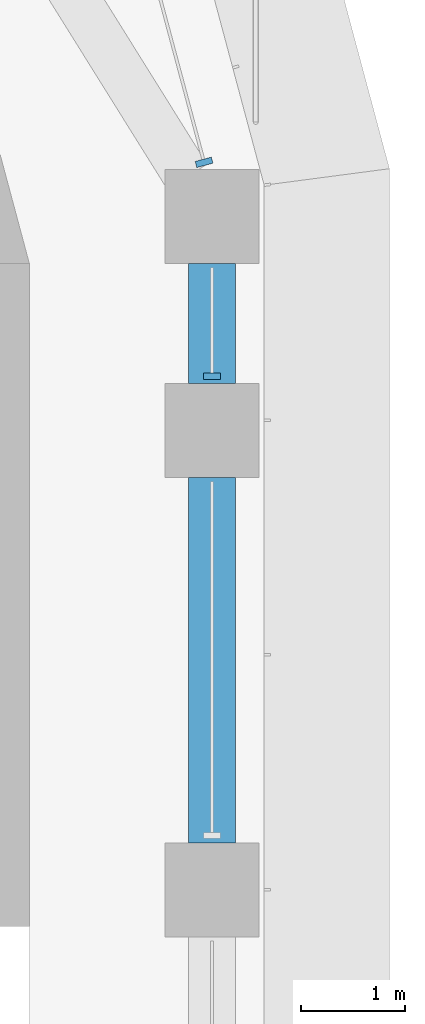
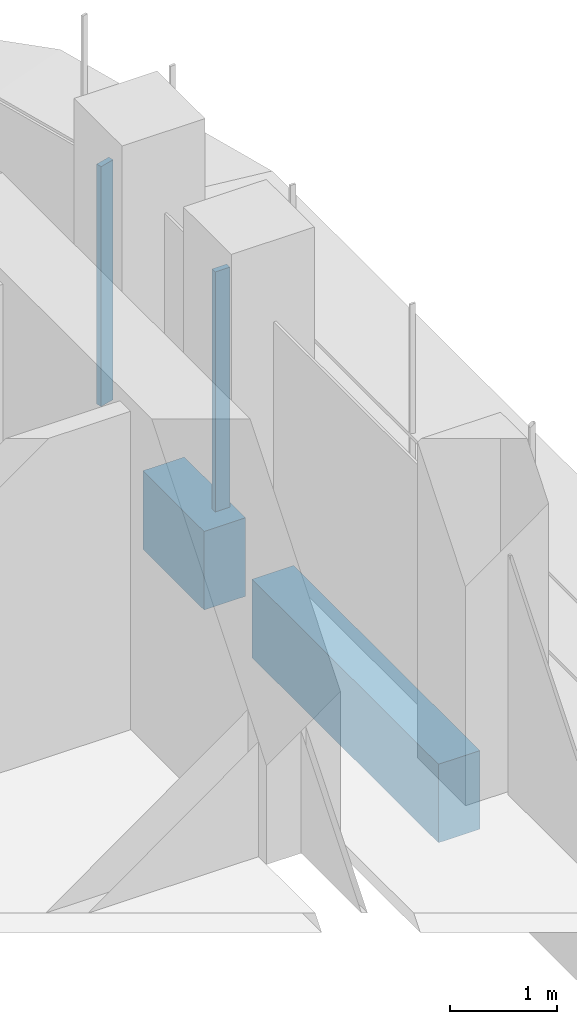
# One storey, part 9 of 22: 2 beams, 2 members, 2 elements without a shape of their own.
"""IFC4 building model written with IfcOpenShell, lengths in metres."""

from ifc_helpers import new_model, si_unit, direction, frame, origin, origin_2d, place, context, subcontext, project, spatial, polyline, rectangle, outline, extrude, source, transform, mapped, material, material_profile, profile_set, type_object, element, aggregate, save


model = new_model("IFC4")

# Units and contexts
model_context = context("Model", 3, precision=1e-05, world=origin(), true_north=direction((0.0, 1.0)))
body_context = subcontext(model_context, "Body", "Model", "MODEL_VIEW")
ifc_project = project(units=[si_unit("LENGTHUNIT", "METRE"), si_unit("AREAUNIT", "SQUARE_METRE"), si_unit("VOLUMEUNIT", "CUBIC_METRE"), si_unit("PLANEANGLEUNIT", "RADIAN"), si_unit("MASSUNIT", "GRAM", prefix="KILO")], contexts=[model_context])

# Site, building, storey
site_placement = place(None, origin())
site = spatial("IfcSite", under=ifc_project, at=site_placement, CompositionType="ELEMENT")
building_placement = place(site_placement, origin())
building = spatial("IfcBuilding", under=site, at=building_placement, Name="Zarbagh Exchange Tower", CompositionType="ELEMENT")
storey_placement = place(building_placement, frame((0.0, 0.0, 94.199951171875)))
storey = spatial("IfcBuildingStorey", under=building, at=storey_placement, Name="L21", CompositionType="ELEMENT", Elevation=94.199951171875)

# Beams
ifc_material_1 = material(Name="Concrete C60/75", Category="concrete")
ifc_material_profile = material_profile(ifc_material_1, rectangle(XDim=0.449951171875, YDim=0.89990234375, at=origin_2d()), Name="RC spandrel beam 450 x 900 C60/75")
ifc_profile_set = profile_set([ifc_material_profile], Name="Concrete C60/75")
beam_type = type_object("IfcBeamType", Name="RC spandrel beam 450 x 900 C60/75", PredefinedType="SPANDREL", material=ifc_profile_set)
beam_1_placement = place(storey_placement, frame((6.25, 26.25, -0.599853515625), z_axis=(0.0, -1.0, 0.0), x_axis=(1.0, 0.0, 0.0)))
element("IfcBeam", 1, at=beam_1_placement, inside=storey, type_object=beam_type, Name="RC spandrel beam", PredefinedType="SPANDREL", context=body_context, shape_type="SweptSolid", body=[
    extrude(rectangle(XDim=0.449951171875, YDim=0.89990234375, at=origin_2d()), origin(), (0.0, 0.0, 1.0), 1.14990234375),
])
beam_2_placement = place(storey_placement, frame((6.25, 24.199951171875, -0.599853515625), z_axis=(0.0, -1.0, 0.0), x_axis=(1.0, 0.0, 0.0)))
element("IfcBeam", 2, at=beam_2_placement, inside=storey, type_object=beam_type, Name="RC spandrel beam", PredefinedType="SPANDREL", context=body_context, shape_type="SweptSolid", body=[
    extrude(rectangle(XDim=0.449951171875, YDim=0.89990234375, at=origin_2d()), origin(), (0.0, 0.0, 1.0), 3.5),
])

# Curtain wall, member
ifc_material_2 = material(Name="Anodised aluminium frame and glazing", Category="aluminium")
curtain_wall_type = type_object("IfcCurtainWallType", Name="CWA Ribbon glazing, lower zones", PredefinedType="NOTDEFINED", material=ifc_material_2)
curtain_wall_1_placement = place(storey_placement, origin())
curtain_wall_1 = element("IfcCurtainWall", 3, at=curtain_wall_1_placement, inside=storey, type_object=curtain_wall_type, Name="CWA49 curtain wall", PredefinedType="NOTDEFINED")
ifc_material_3 = material(Name="Anodised aluminium frame", Category="aluminium")
member_type = type_object("IfcMemberType", Name="MUA Mullion, anodised aluminium frame", PredefinedType="MULLION", material=ifc_material_3)
shared_shape = source(origin(), body_context, "Body", "SweptSolid", [
    extrude(outline(polyline([(0.0, -0.080078125), (0.06005859375, -0.080078125), (0.06005859375, 0.080078125), (0.0, 0.080078125), (0.0, -0.080078125)])), origin(), (0.0, 0.0, 1.0), 2.75),
])
placement = place(storey_placement, origin())
member_1 = element("IfcMember", 4, at=placement, type_object=member_type, Name="CWA49 mullion 4.1", PredefinedType="MULLION", context=body_context, shape_type="MappedRepresentation", body=[
    mapped(shared_shape, transform((6.25, 25.14013671875, 0.0), x_axis=(0.0, 1.0, 0.0), y_axis=(-1.0, 0.0, 0.0), z_axis=(0.0, 0.0, 1.0))),
])
aggregate(curtain_wall_1, [member_1])

curtain_wall_2_placement = place(storey_placement, origin())
curtain_wall_2 = element("IfcCurtainWall", 5, at=curtain_wall_2_placement, inside=storey, type_object=curtain_wall_type, Name="CWA50 curtain wall", PredefinedType="NOTDEFINED")
member_2 = element("IfcMember", 6, at=placement, type_object=member_type, Name="CWA50 mullion 1.1", PredefinedType="MULLION", context=body_context, shape_type="MappedRepresentation", body=[
    mapped(shared_shape, transform((6.181396484375, 27.18994140625, 0.0), x_axis=(-0.258824779902, 0.965924289636, 0.0), y_axis=(-0.965924289636, -0.258824779902, 0.0), z_axis=(0.0, 0.0, 1.0))),
])
aggregate(curtain_wall_2, [member_2])

save(model, "model.ifc")
